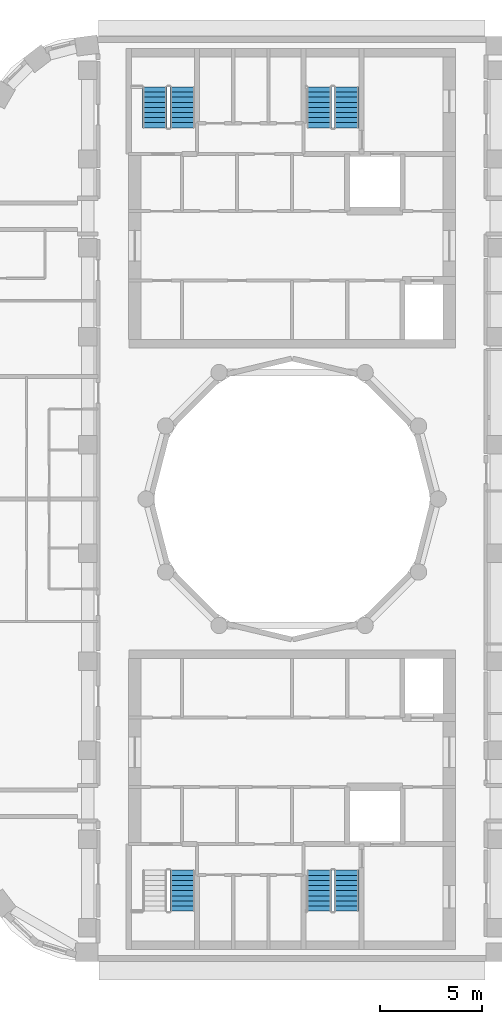
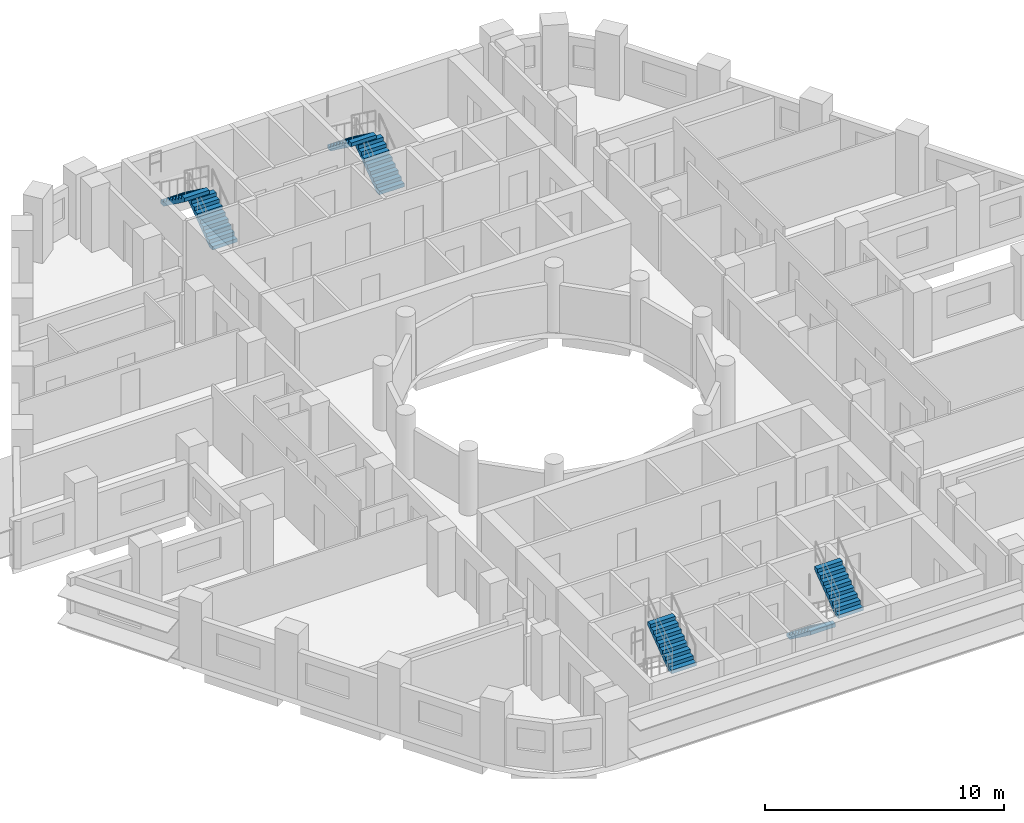
# One storey, part 9 of 12: 7 stair flights, 4 elements without a shape of their own.
"""IFC4 building model written with IfcOpenShell, lengths in metres."""

from ifc_helpers import new_model, si_unit, direction, frame, origin, place, context, subcontext, project, spatial, polyline, outline, extrude, material, type_object, element, aggregate, save


model = new_model("IFC4")

# Units and contexts
model_context = context("Model", 3, precision=1e-05, world=origin(), true_north=direction((0.0, 1.0)))
body_context = subcontext(model_context, "Body", "Model", "MODEL_VIEW")
ifc_project = project(units=[si_unit("LENGTHUNIT", "METRE"), si_unit("AREAUNIT", "SQUARE_METRE"), si_unit("VOLUMEUNIT", "CUBIC_METRE"), si_unit("PLANEANGLEUNIT", "RADIAN"), si_unit("MASSUNIT", "GRAM", prefix="KILO")], contexts=[model_context])

# Site, building, storey
site_placement = place(None, origin())
site = spatial("IfcSite", under=ifc_project, at=site_placement, CompositionType="ELEMENT")
building_placement = place(site_placement, origin())
building = spatial("IfcBuilding", under=site, at=building_placement, Name="Nakaniwa Court", CompositionType="ELEMENT")
storey_placement = place(building_placement, frame((0.0, 0.0, 249.300048828125)))
storey = spatial("IfcBuildingStorey", under=building, at=storey_placement, Name="L65", CompositionType="ELEMENT", Elevation=249.300048828125)

# Stair, stair flights
ifc_material = material(Name="Concrete C80/100", Category="concrete")
stair_type = type_object("IfcStairType", Name="Dog leg stair 1200 wide 18 risers", PredefinedType="HALF_TURN_STAIR", material=ifc_material)
stair_1_placement = place(storey_placement, origin())
stair_1 = element("IfcStair", 1, at=stair_1_placement, inside=storey, type_object=stair_type, Name="L65 Stair ST1", PredefinedType="HALF_TURN_STAIR")
stair_flight_type = type_object("IfcStairFlightType", Name="Stair flight 1200 wide 9 risers", PredefinedType="STRAIGHT", material=ifc_material)
stair_flight_1_placement = place(storey_placement, frame((74.625, 98.175048828125, 0.0), z_axis=(0.0, 0.0, 1.0), x_axis=(0.0, 1.0, 0.0)))
stair_flight_1 = element("IfcStairFlight", 2, at=stair_flight_1_placement, type_object=stair_flight_type, Name="ST1 flight 1", NumberOfRisers=9, NumberOfTreads=8, PredefinedType="STRAIGHT", RiserHeight=0.183333333, TreadLength=0.25, context=body_context, shape_type="SweptSolid", body=[
    extrude(outline(polyline([(0.0, 0.0), (0.0, 0.026123046875), (0.0, 0.052490234375), (0.0, 0.07861328125), (0.0, 0.104736328125), (0.0, 0.130859375), (0.0, 0.1572265625), (0.0, 0.183349609375), (0.25, 0.183349609375), (0.25, 0.36669921875), (0.5, 0.36669921875), (0.5, 0.550048828125), (0.75, 0.550048828125), (0.75, 0.7333984375), (1.0, 0.7333984375), (1.0, 0.916748046875), (1.25, 0.916748046875), (1.25, 1.10009765625), (1.5, 1.10009765625), (1.5, 1.283447265625), (1.75, 1.283447265625), (1.75, 1.466552734375), (2.0, 1.466552734375), (2.0, 1.64990234375), (2.0, 1.59716796875), (2.0, 1.54443359375), (2.0, 1.49169921875), (2.0, 1.43896484375), (2.0, 1.38623046875), (2.0, 1.33349609375), (2.0, 1.28076171875), (0.25341796875, 0.0), (0.0, 0.0)])), frame((0.0, 0.60009765625, 0.0), z_axis=(0.0, -1.0, 0.0), x_axis=(1.0, 0.0, 0.0)), (0.0, 0.0, 1.0), 1.199951171875),
])
stair_flight_2_placement = place(storey_placement, frame((73.27490234375, 100.175048828125, 1.64990234375), z_axis=(0.0, 0.0, 1.0), x_axis=(0.0, -1.0, 0.0)))
stair_flight_2 = element("IfcStairFlight", 3, at=stair_flight_2_placement, type_object=stair_flight_type, Name="ST1 flight 2", NumberOfRisers=9, NumberOfTreads=8, PredefinedType="STRAIGHT", RiserHeight=0.183333333, TreadLength=0.25, context=body_context, shape_type="SweptSolid", body=[
    extrude(outline(polyline([(0.0, 0.0), (0.0, 0.026123046875), (0.0, 0.052490234375), (0.0, 0.07861328125), (0.0, 0.104736328125), (0.0, 0.130859375), (0.0, 0.1572265625), (0.0, 0.183349609375), (0.25, 0.183349609375), (0.25, 0.36669921875), (0.5, 0.36669921875), (0.5, 0.550048828125), (0.75, 0.550048828125), (0.75, 0.7333984375), (1.0, 0.7333984375), (1.0, 0.916748046875), (1.25, 0.916748046875), (1.25, 1.10009765625), (1.5, 1.10009765625), (1.5, 1.283447265625), (1.75, 1.283447265625), (1.75, 1.466552734375), (2.0, 1.466552734375), (2.0, 1.64990234375), (2.0, 1.59716796875), (2.0, 1.54443359375), (2.0, 1.49169921875), (2.0, 1.43896484375), (2.0, 1.38623046875), (2.0, 1.33349609375), (2.0, 1.28076171875), (0.25341796875, 0.0), (0.0, 0.0)])), frame((0.0, 0.60009765625, 0.0), z_axis=(0.0, -1.0, 0.0), x_axis=(1.0, 0.0, 0.0)), (0.0, 0.0, 1.0), 1.199951171875),
])
aggregate(stair_1, [stair_flight_1, stair_flight_2])

stair_2_placement = place(storey_placement, origin())
stair_2 = element("IfcStair", 4, at=stair_2_placement, inside=storey, type_object=stair_type, Name="L65 Stair ST2", PredefinedType="HALF_TURN_STAIR")
stair_flight_3_placement = place(storey_placement, frame((82.675048828125, 98.175048828125, 0.0), z_axis=(0.0, 0.0, 1.0), x_axis=(0.0, 1.0, 0.0)))
stair_flight_3 = element("IfcStairFlight", 5, at=stair_flight_3_placement, type_object=stair_flight_type, Name="ST2 flight 1", NumberOfRisers=9, NumberOfTreads=8, PredefinedType="STRAIGHT", RiserHeight=0.183333333, TreadLength=0.25, context=body_context, shape_type="SweptSolid", body=[
    extrude(outline(polyline([(0.0, 0.0), (0.0, 0.026123046875), (0.0, 0.052490234375), (0.0, 0.07861328125), (0.0, 0.104736328125), (0.0, 0.130859375), (0.0, 0.1572265625), (0.0, 0.183349609375), (0.25, 0.183349609375), (0.25, 0.36669921875), (0.5, 0.36669921875), (0.5, 0.550048828125), (0.75, 0.550048828125), (0.75, 0.7333984375), (1.0, 0.7333984375), (1.0, 0.916748046875), (1.25, 0.916748046875), (1.25, 1.10009765625), (1.5, 1.10009765625), (1.5, 1.283447265625), (1.75, 1.283447265625), (1.75, 1.466552734375), (2.0, 1.466552734375), (2.0, 1.64990234375), (2.0, 1.59716796875), (2.0, 1.54443359375), (2.0, 1.49169921875), (2.0, 1.43896484375), (2.0, 1.38623046875), (2.0, 1.33349609375), (2.0, 1.28076171875), (0.25341796875, 0.0), (0.0, 0.0)])), frame((0.0, 0.60009765625, 0.0), z_axis=(0.0, -1.0, 0.0), x_axis=(1.0, 0.0, 0.0)), (0.0, 0.0, 1.0), 1.199951171875),
])
stair_flight_4_placement = place(storey_placement, frame((81.324951171875, 100.175048828125, 1.64990234375), z_axis=(0.0, 0.0, 1.0), x_axis=(0.0, -1.0, 0.0)))
stair_flight_4 = element("IfcStairFlight", 6, at=stair_flight_4_placement, type_object=stair_flight_type, Name="ST2 flight 2", NumberOfRisers=9, NumberOfTreads=8, PredefinedType="STRAIGHT", RiserHeight=0.183333333, TreadLength=0.25, context=body_context, shape_type="SweptSolid", body=[
    extrude(outline(polyline([(0.0, 0.0), (0.0, 0.026123046875), (0.0, 0.052490234375), (0.0, 0.07861328125), (0.0, 0.104736328125), (0.0, 0.130859375), (0.0, 0.1572265625), (0.0, 0.183349609375), (0.25, 0.183349609375), (0.25, 0.36669921875), (0.5, 0.36669921875), (0.5, 0.550048828125), (0.75, 0.550048828125), (0.75, 0.7333984375), (1.0, 0.7333984375), (1.0, 0.916748046875), (1.25, 0.916748046875), (1.25, 1.10009765625), (1.5, 1.10009765625), (1.5, 1.283447265625), (1.75, 1.283447265625), (1.75, 1.466552734375), (2.0, 1.466552734375), (2.0, 1.64990234375), (2.0, 1.59716796875), (2.0, 1.54443359375), (2.0, 1.49169921875), (2.0, 1.43896484375), (2.0, 1.38623046875), (2.0, 1.33349609375), (2.0, 1.28076171875), (0.25341796875, 0.0), (0.0, 0.0)])), frame((0.0, 0.60009765625, 0.0), z_axis=(0.0, -1.0, 0.0), x_axis=(1.0, 0.0, 0.0)), (0.0, 0.0, 1.0), 1.199951171875),
])
aggregate(stair_2, [stair_flight_3, stair_flight_4])

# Stair, stair flight
stair_3_placement = place(storey_placement, origin())
stair_3 = element("IfcStair", 7, at=stair_3_placement, inside=storey, type_object=stair_type, Name="L65 Stair ST3", PredefinedType="HALF_TURN_STAIR")
stair_flight_5_placement = place(storey_placement, frame((74.625, 59.824951171875, 1.64990234375), z_axis=(0.0, 0.0, 1.0), x_axis=(0.0, 1.0, 0.0)))
stair_flight_5 = element("IfcStairFlight", 8, at=stair_flight_5_placement, type_object=stair_flight_type, Name="ST3 flight 2", NumberOfRisers=9, NumberOfTreads=8, PredefinedType="STRAIGHT", RiserHeight=0.183333333, TreadLength=0.25, context=body_context, shape_type="SweptSolid", body=[
    extrude(outline(polyline([(0.0, 0.0), (0.0, 0.026123046875), (0.0, 0.052490234375), (0.0, 0.07861328125), (0.0, 0.104736328125), (0.0, 0.130859375), (0.0, 0.1572265625), (0.0, 0.183349609375), (0.25, 0.183349609375), (0.25, 0.36669921875), (0.5, 0.36669921875), (0.5, 0.550048828125), (0.75, 0.550048828125), (0.75, 0.7333984375), (1.0, 0.7333984375), (1.0, 0.916748046875), (1.25, 0.916748046875), (1.25, 1.10009765625), (1.5, 1.10009765625), (1.5, 1.283447265625), (1.75, 1.283447265625), (1.75, 1.466552734375), (2.0, 1.466552734375), (2.0, 1.64990234375), (2.0, 1.59716796875), (2.0, 1.54443359375), (2.0, 1.49169921875), (2.0, 1.43896484375), (2.0, 1.38623046875), (2.0, 1.33349609375), (2.0, 1.28076171875), (0.25341796875, 0.0), (0.0, 0.0)])), frame((0.0, 0.60009765625, 0.0), z_axis=(0.0, -1.0, 0.0), x_axis=(1.0, 0.0, 0.0)), (0.0, 0.0, 1.0), 1.199951171875),
])
aggregate(stair_3, [stair_flight_5])

# Stair, stair flights
stair_4_placement = place(storey_placement, origin())
stair_4 = element("IfcStair", 9, at=stair_4_placement, inside=storey, type_object=stair_type, Name="L65 Stair ST4", PredefinedType="HALF_TURN_STAIR")
stair_flight_6_placement = place(storey_placement, frame((81.324951171875, 61.824951171875, 0.0), z_axis=(0.0, 0.0, 1.0), x_axis=(0.0, -1.0, 0.0)))
stair_flight_6 = element("IfcStairFlight", 10, at=stair_flight_6_placement, type_object=stair_flight_type, Name="ST4 flight 1", NumberOfRisers=9, NumberOfTreads=8, PredefinedType="STRAIGHT", RiserHeight=0.183333333, TreadLength=0.25, context=body_context, shape_type="SweptSolid", body=[
    extrude(outline(polyline([(0.0, 0.0), (0.0, 0.026123046875), (0.0, 0.052490234375), (0.0, 0.07861328125), (0.0, 0.104736328125), (0.0, 0.130859375), (0.0, 0.1572265625), (0.0, 0.183349609375), (0.25, 0.183349609375), (0.25, 0.36669921875), (0.5, 0.36669921875), (0.5, 0.550048828125), (0.75, 0.550048828125), (0.75, 0.7333984375), (1.0, 0.7333984375), (1.0, 0.916748046875), (1.25, 0.916748046875), (1.25, 1.10009765625), (1.5, 1.10009765625), (1.5, 1.283447265625), (1.75, 1.283447265625), (1.75, 1.466552734375), (2.0, 1.466552734375), (2.0, 1.64990234375), (2.0, 1.59716796875), (2.0, 1.54443359375), (2.0, 1.49169921875), (2.0, 1.43896484375), (2.0, 1.38623046875), (2.0, 1.33349609375), (2.0, 1.28076171875), (0.25341796875, 0.0), (0.0, 0.0)])), frame((0.0, 0.60009765625, 0.0), z_axis=(0.0, -1.0, 0.0), x_axis=(1.0, 0.0, 0.0)), (0.0, 0.0, 1.0), 1.199951171875),
])
stair_flight_7_placement = place(storey_placement, frame((82.675048828125, 59.824951171875, 1.64990234375), z_axis=(0.0, 0.0, 1.0), x_axis=(0.0, 1.0, 0.0)))
stair_flight_7 = element("IfcStairFlight", 11, at=stair_flight_7_placement, type_object=stair_flight_type, Name="ST4 flight 2", NumberOfRisers=9, NumberOfTreads=8, PredefinedType="STRAIGHT", RiserHeight=0.183333333, TreadLength=0.25, context=body_context, shape_type="SweptSolid", body=[
    extrude(outline(polyline([(0.0, 0.0), (0.0, 0.026123046875), (0.0, 0.052490234375), (0.0, 0.07861328125), (0.0, 0.104736328125), (0.0, 0.130859375), (0.0, 0.1572265625), (0.0, 0.183349609375), (0.25, 0.183349609375), (0.25, 0.36669921875), (0.5, 0.36669921875), (0.5, 0.550048828125), (0.75, 0.550048828125), (0.75, 0.7333984375), (1.0, 0.7333984375), (1.0, 0.916748046875), (1.25, 0.916748046875), (1.25, 1.10009765625), (1.5, 1.10009765625), (1.5, 1.283447265625), (1.75, 1.283447265625), (1.75, 1.466552734375), (2.0, 1.466552734375), (2.0, 1.64990234375), (2.0, 1.59716796875), (2.0, 1.54443359375), (2.0, 1.49169921875), (2.0, 1.43896484375), (2.0, 1.38623046875), (2.0, 1.33349609375), (2.0, 1.28076171875), (0.25341796875, 0.0), (0.0, 0.0)])), frame((0.0, 0.60009765625, 0.0), z_axis=(0.0, -1.0, 0.0), x_axis=(1.0, 0.0, 0.0)), (0.0, 0.0, 1.0), 1.199951171875),
])
aggregate(stair_4, [stair_flight_6, stair_flight_7])

save(model, "model.ifc")
